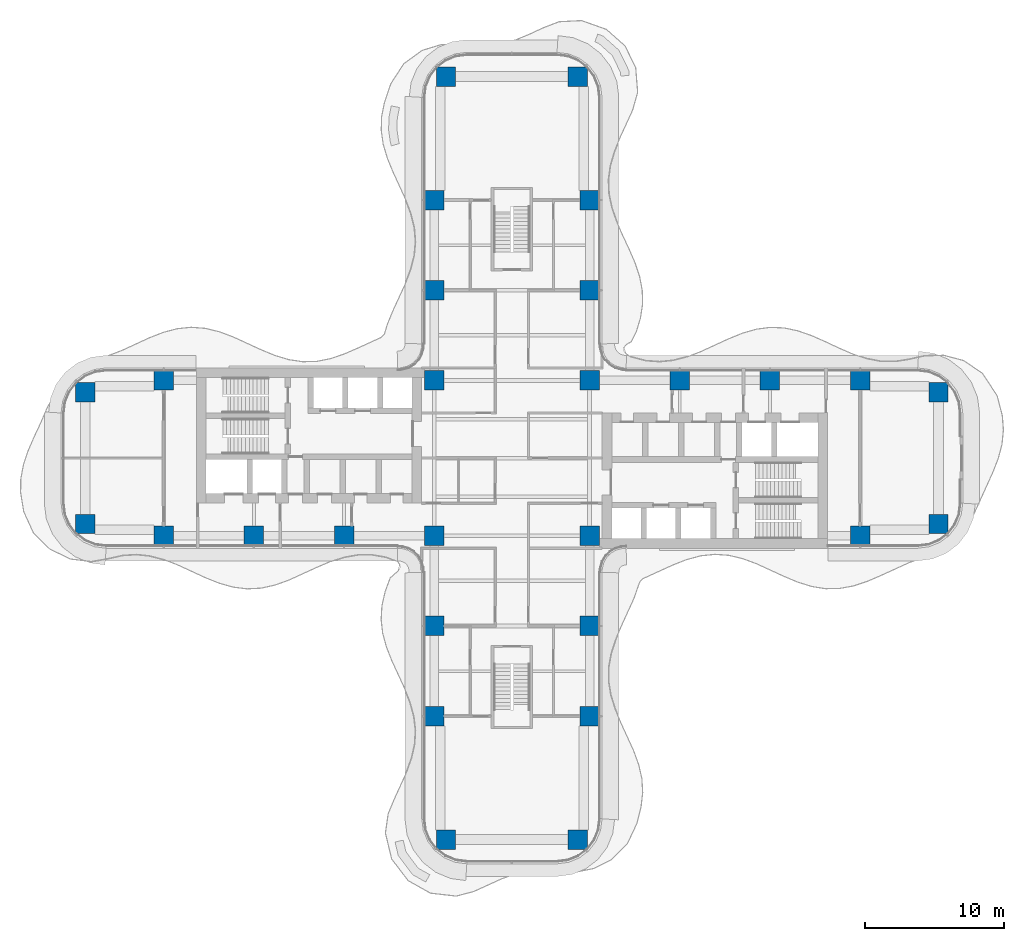
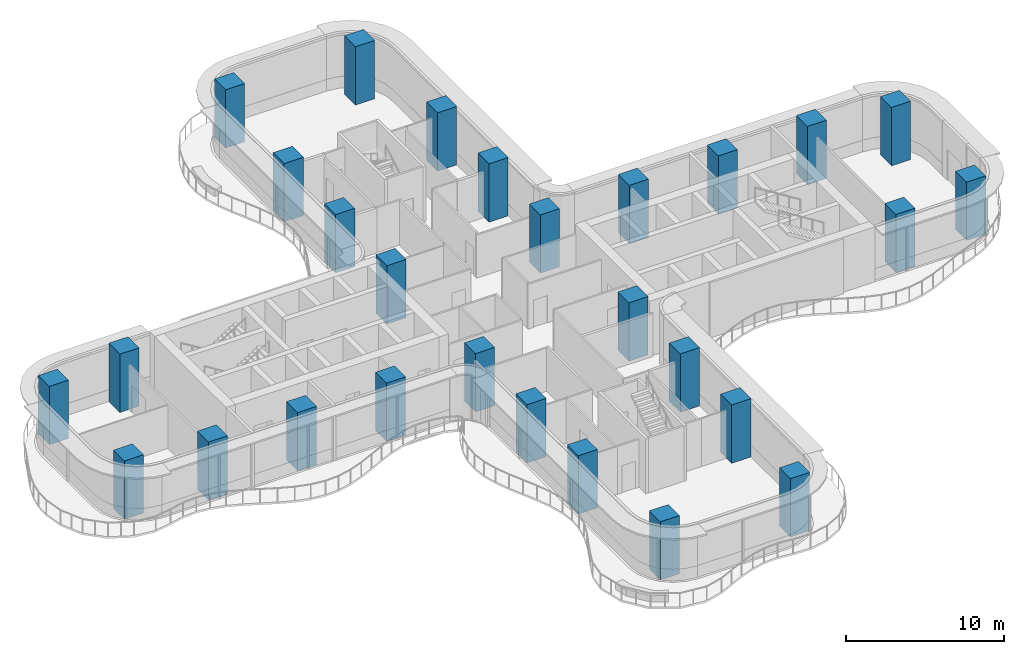
# One storey, part 1 of 22: 28 columns.
"""IFC4 building model written with IfcOpenShell, lengths in metres."""

from ifc_helpers import new_model, si_unit, direction, frame, origin, origin_2d, place, context, subcontext, project, spatial, rectangle, extrude, source, transform, mapped, material, material_profile, profile_set, type_object, element, save


model = new_model("IFC4")

# Units and contexts
model_context = context("Model", 3, precision=1e-05, world=origin(), true_north=direction((0.0, 1.0)))
body_context = subcontext(model_context, "Body", "Model", "MODEL_VIEW")
ifc_project = project(units=[si_unit("LENGTHUNIT", "METRE"), si_unit("AREAUNIT", "SQUARE_METRE"), si_unit("VOLUMEUNIT", "CUBIC_METRE"), si_unit("PLANEANGLEUNIT", "RADIAN"), si_unit("MASSUNIT", "GRAM", prefix="KILO")], contexts=[model_context])

# Site, building, storey
site_placement = place(None, origin())
site = spatial("IfcSite", under=ifc_project, at=site_placement, CompositionType="ELEMENT")
building_placement = place(site_placement, origin())
building = spatial("IfcBuilding", under=site, at=building_placement, Name="Trellis Farm Tower", CompositionType="ELEMENT")
storey_placement = place(building_placement, frame((0.0, 0.0, 38.5)))
storey = spatial("IfcBuildingStorey", under=building, at=storey_placement, Name="L07", CompositionType="ELEMENT", Elevation=38.5)

# Columns
ifc_material = material(Name="Concrete C80/95", Category="concrete")
ifc_material_profile = material_profile(ifc_material, rectangle(XDim=1.39990234375, YDim=1.39990234375, at=origin_2d()), Name="RC column 1400x1400 C80/95")
ifc_profile_set = profile_set([ifc_material_profile], Name="Concrete C80/95")
column_type = type_object("IfcColumnType", Name="RC column 1400x1400 C80/95", PredefinedType="COLUMN", material=ifc_profile_set)
shared_shape = source(origin(), body_context, "Body", "SweptSolid", [
    extrude(rectangle(XDim=1.39990234375, YDim=1.39990234375, at=origin_2d()), origin(), (0.0, 0.0, 1.0), 4.5),
])
for number, where, z_axis, x_axis, name in (
    (1, (12.10009765625, 5.60009765625, 0.0), (0.0, 0.0, 1.0), (1.0, 0.0, 0.0), "Column"),
    (2, (18.60009765625, 5.60009765625, 0.0), (0.0, 0.0, 1.0), (1.0, 0.0, 0.0), "Column"),
    (3, (25.10009765625, 5.60009765625, 0.0), (0.0, 0.0, 1.0), (1.0, 0.0, 0.0), "Column"),
    (4, (30.75, 4.75, 0.0), (0.0, 0.0, 1.0), (1.0, 0.0, 0.0), "Column"),
    (5, (25.10009765625, -5.60009765625, 0.0), (0.0, 0.0, 1.0), (1.0, 0.0, 0.0), "Column"),
    (6, (30.75, -4.75, 0.0), (0.0, 0.0, 1.0), (1.0, 0.0, 0.0), "Column"),
    (7, (-5.60009765625, 12.10009765625, 0.0), (0.0, 0.0, 1.0), (1.0, 0.0, 0.0), "Column"),
    (8, (-5.60009765625, 18.60009765625, 0.0), (0.0, 0.0, 1.0), (1.0, 0.0, 0.0), "Column"),
    (9, (-4.75, 27.5, 0.0), (0.0, 0.0, 1.0), (1.0, 0.0, 0.0), "Column"),
    (10, (5.60009765625, 12.10009765625, 0.0), (0.0, 0.0, 1.0), (1.0, 0.0, 0.0), "Column"),
    (11, (5.60009765625, 18.60009765625, 0.0), (0.0, 0.0, 1.0), (1.0, 0.0, 0.0), "Column"),
    (12, (4.75, 27.5, 0.0), (0.0, 0.0, 1.0), (1.0, 0.0, 0.0), "Column"),
    (13, (5.60009765625, 5.60009765625, 0.0), (0.0, 0.0, 1.0), (1.0, 0.0, 0.0), "Column"),
    (14, (-5.60009765625, 5.60009765625, 0.0), (0.0, 0.0, 1.0), (1.0, 0.0, 0.0), "Column"),
    (15, (5.60009765625, -5.60009765625, 0.0), (0.0, 0.0, 1.0), (1.0, 0.0, 0.0), "Column"),
    (16, (-5.60009765625, -5.60009765625, 0.0), (0.0, 0.0, 1.0), (1.0, 0.0, 0.0), "Column"),
    (17, (5.60009765625, -12.10009765625, 0.0), (0.0, 0.0, 1.0), (1.0, 0.0, 0.0), "Column"),
    (18, (5.60009765625, -18.60009765625, 0.0), (0.0, 0.0, 1.0), (1.0, 0.0, 0.0), "Column"),
    (19, (4.75, -27.5, 0.0), (0.0, 0.0, 1.0), (1.0, 0.0, 0.0), "Column"),
    (20, (-5.60009765625, -12.10009765625, 0.0), (0.0, 0.0, 1.0), (1.0, 0.0, 0.0), "Column"),
    (21, (-5.60009765625, -18.60009765625, 0.0), (0.0, 0.0, 1.0), (1.0, 0.0, 0.0), "Column"),
    (22, (-4.75, -27.5, 0.0), (0.0, 0.0, 1.0), (1.0, 0.0, 0.0), "Column"),
    (23, (-12.10009765625, -5.60009765625, 0.0), (0.0, 0.0, 1.0), (1.0, 0.0, 0.0), "Column"),
    (24, (-18.60009765625, -5.60009765625, 0.0), (0.0, 0.0, 1.0), (1.0, 0.0, 0.0), "Column"),
    (25, (-25.10009765625, -5.60009765625, 0.0), (0.0, 0.0, 1.0), (1.0, 0.0, 0.0), "Column"),
    (26, (-30.75, -4.75, 0.0), (0.0, 0.0, 1.0), (1.0, 0.0, 0.0), "Column"),
    (27, (-25.10009765625, 5.60009765625, 0.0), (0.0, 0.0, 1.0), (1.0, 0.0, 0.0), "Column"),
    (28, (-30.75, 4.75, 0.0), (0.0, 0.0, 1.0), (1.0, 0.0, 0.0), "Column"),
):
    element("IfcColumn", number, at=place(storey_placement, frame(where, z_axis=z_axis, x_axis=x_axis)), inside=storey, type_object=column_type, Name=name, PredefinedType="COLUMN", context=body_context, shape_type="MappedRepresentation", body=[
        mapped(shared_shape, transform((0.0, 0.0, 0.0))),
    ])

save(model, "model.ifc")
